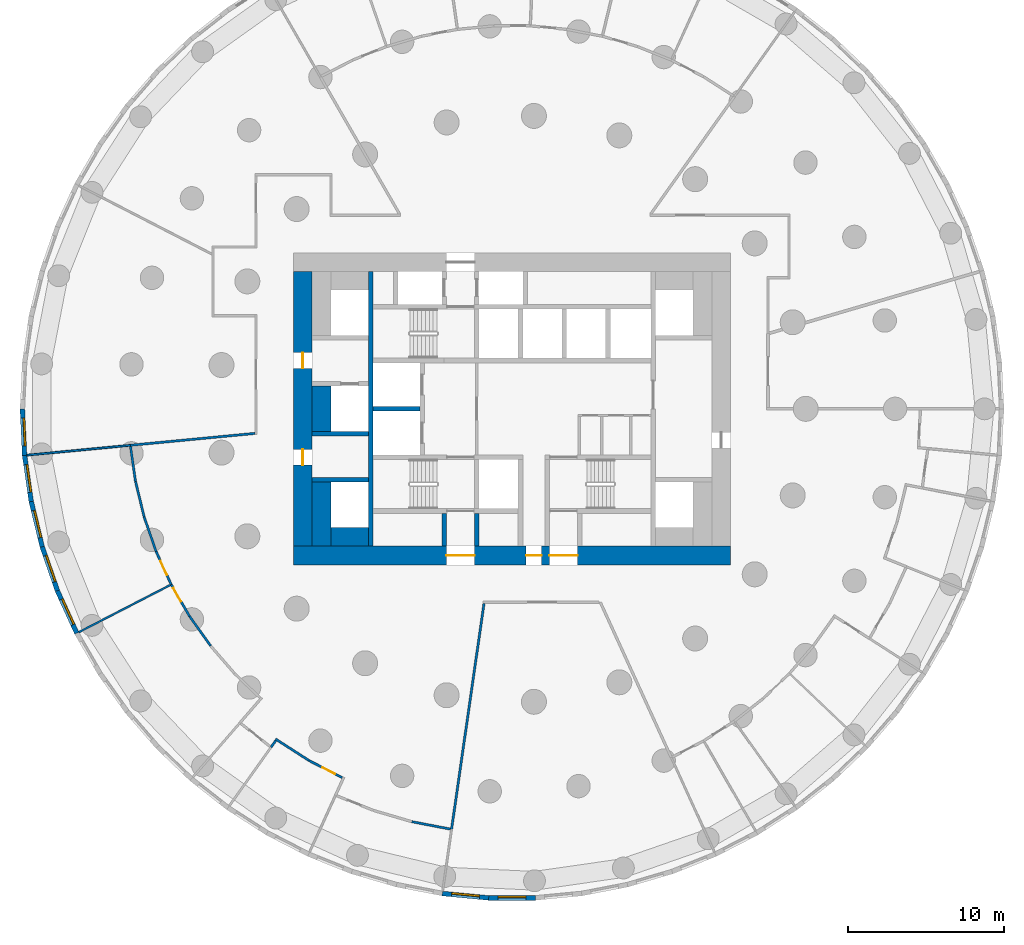
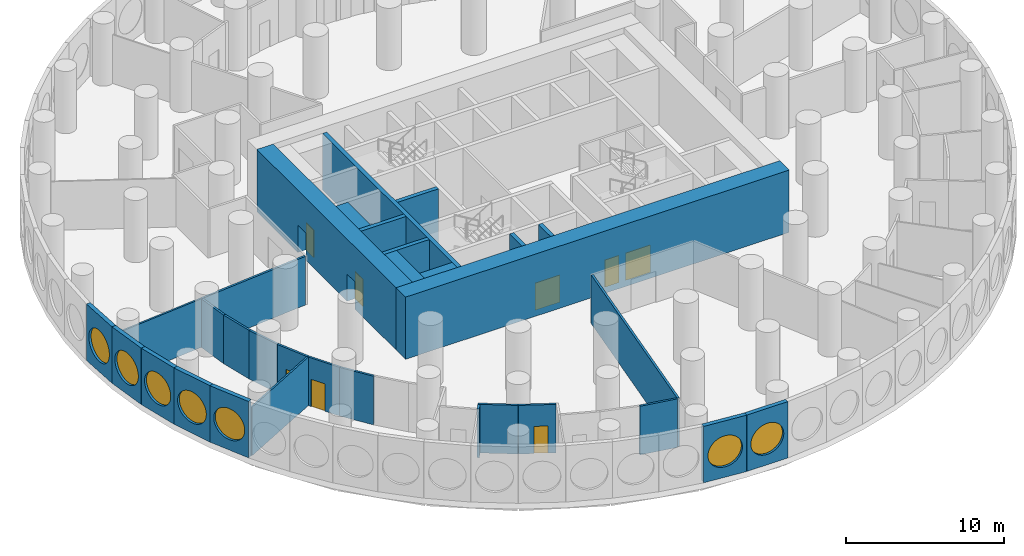
# One storey, part 3 of 11: 32 walls, 8 doors, 7 windows, 15 openings.
"""IFC4 building model written with IfcOpenShell, lengths in metres."""

import ifcopenshell
import ifcopenshell.guid

model = None  # the IFC model being written
_history = None  # IfcOwnerHistory: only IFC2X3 demands one
_inside = {}  # id of a spatial element -> (the spatial element, [elements in it])
_under = {}  # id of a project, library or spatial element -> (it, [spatial elements below it])
_declared = {}  # id of a project -> (the project, [libraries it declares])
_typed = {}  # id of a type object -> (the type object, [elements of that type])
_made_of = {}  # id of a material, layer set ... -> (it, [elements and type objects made of it])


def new_model(schema):
    """Start an empty IFC model of exactly this schema.

    Asked for "IFC4X3", IfcOpenShell would pick the latest addendum, in which some entities
    have other attributes; the version numbers below select the first issue.
    IFC2X3 requires an IfcOwnerHistory on every rooted entity: one is made here for all.
    """
    global model, _history
    if schema == "IFC4X3":
        model = ifcopenshell.file(schema_version=(4, 3, 0, 0))
    else:
        model = ifcopenshell.file(schema=schema)
    _inside.clear()
    _under.clear()
    _declared.clear()
    _typed.clear()
    _made_of.clear()
    _history = None
    if model.schema == "IFC2X3":
        org = make("IfcOrganization", Name="unknown")
        user = make(
            "IfcPersonAndOrganization",
            ThePerson=make("IfcPerson", FamilyName="unknown"),
            TheOrganization=org,
        )
        app = make(
            "IfcApplication",
            ApplicationDeveloper=org,
            Version="unknown",
            ApplicationFullName="unknown",
            ApplicationIdentifier="unknown",
        )
        _history = make(
            "IfcOwnerHistory",
            OwningUser=user,
            OwningApplication=app,
            ChangeAction="ADDED",
            CreationDate=0,
        )
    return model


def make(cls, **values):
    """One entity of the class cls with the attributes given. An attribute that is None is left unset."""
    return model.create_entity(
        cls, **{name: value for name, value in values.items() if value is not None}
    )


def rooted(cls, **values):
    """An entity with a GlobalId (a new one), such as an element, a storey or a relation."""
    return make(cls, GlobalId=ifcopenshell.guid.new(), OwnerHistory=_history, **values)


def si_unit(unit_type, name, prefix=None):
    """IfcSIUnit, for example si_unit("LENGTHUNIT", "METRE", prefix="MILLI")."""
    return make("IfcSIUnit", UnitType=unit_type, Prefix=prefix, Name=name)


def assignment(units):
    """IfcUnitAssignment: the units of a project."""
    return None if units is None else make("IfcUnitAssignment", Units=units)


def point(xyz):
    """IfcCartesianPoint."""
    return None if xyz is None else make("IfcCartesianPoint", Coordinates=xyz)


def direction(xyz):
    """IfcDirection."""
    return None if xyz is None else make("IfcDirection", DirectionRatios=xyz)


def frame(location, z_axis=None, x_axis=None):
    """IfcAxis2Placement3D, a coordinate frame: its origin and axes. An axis left out is left unset."""
    return make(
        "IfcAxis2Placement3D",
        Location=point(location),
        Axis=direction(z_axis),
        RefDirection=direction(x_axis),
    )


def frame_2d(location, x_axis=None):
    """IfcAxis2Placement2D, a coordinate frame in the plane: its origin and x axis."""
    return make(
        "IfcAxis2Placement2D", Location=point(location), RefDirection=direction(x_axis)
    )


def origin():
    """The frame at (0, 0, 0) with its axes left unset."""
    return frame((0.0, 0.0, 0.0))


def origin_2d():
    """The frame at (0, 0) in the plane with its x axis left unset."""
    return frame_2d((0.0, 0.0))


def place(relative_to, where):
    """IfcLocalPlacement: puts the frame where relative to a parent placement (None: the world)."""
    return make(
        "IfcLocalPlacement", PlacementRelTo=relative_to, RelativePlacement=where
    )


def context(
    kind, dimensions, precision=None, world=None, true_north=None, identifier=None
):
    """IfcGeometricRepresentationContext, for example the 3D "Model" context."""
    return make(
        "IfcGeometricRepresentationContext",
        ContextIdentifier=identifier,
        ContextType=kind,
        CoordinateSpaceDimension=dimensions,
        Precision=precision,
        WorldCoordinateSystem=world,
        TrueNorth=true_north,
    )


def subcontext(parent, identifier, kind, view, scale=None):
    """IfcGeometricRepresentationSubContext, for example "Body" below "Model"."""
    return make(
        "IfcGeometricRepresentationSubContext",
        ContextIdentifier=identifier,
        ContextType=kind,
        ParentContext=parent,
        TargetScale=scale,
        TargetView=view,
    )


def project(units=None, contexts=None):
    """IfcProject with its units and contexts."""
    return rooted(
        "IfcProject",
        Name="project",
        RepresentationContexts=contexts,
        UnitsInContext=assignment(units),
    )


def spatial(cls, under=None, at=None, **own):
    """A site, building, storey or space (cls), placed at a placement, below another one or the project."""
    s = rooted(cls, ObjectPlacement=at, **own)
    if under is not None:
        _under.setdefault(under.id(), (under, []))[1].append(s)
    return s


def profile(cls, at=None, kind="AREA", **sizes):
    """A parametric profile (cls). Its sizes go by their IFC names, for example OverallWidth=200.0."""
    return make(cls, ProfileType=kind, Position=at, **sizes)


def rectangle(**sizes):
    """IfcRectangleProfileDef."""
    return profile("IfcRectangleProfileDef", **sizes)


def circle(**sizes):
    """IfcCircleProfileDef."""
    return profile("IfcCircleProfileDef", **sizes)


def extrude(swept, where, along, depth):
    """IfcExtrudedAreaSolid: the profile swept, set in the frame where, extruded along a direction by depth."""
    return make(
        "IfcExtrudedAreaSolid",
        SweptArea=swept,
        Position=where,
        ExtrudedDirection=direction(along),
        Depth=depth,
    )


def shape(context_of_items, identifier, shape_type, items):
    """IfcShapeRepresentation: the items that make up one representation, for example the "Body"."""
    return make(
        "IfcShapeRepresentation",
        ContextOfItems=context_of_items,
        RepresentationIdentifier=identifier,
        RepresentationType=shape_type,
        Items=items,
    )


def material(Name=None, Category=None):
    """IfcMaterial."""
    return make("IfcMaterial", Name=Name, Category=Category)


def layer(
    of_material, thickness, ventilated=None, Name=None, Category=None, Priority=None
):
    """IfcMaterialLayer: one layer of a wall or slab, of a material (None: an air gap)."""
    return make(
        "IfcMaterialLayer",
        Material=of_material,
        LayerThickness=thickness,
        IsVentilated=ventilated,
        Name=Name,
        Category=Category,
        Priority=Priority,
    )


def layer_set(layers, Name=None):
    """IfcMaterialLayerSet."""
    return make("IfcMaterialLayerSet", MaterialLayers=layers, LayerSetName=Name)


def made_of(thing, what):
    """Note that an element or type object is made of a material, layer set ...; save() writes the relation."""
    if what is not None:
        _made_of.setdefault(what.id(), (what, []))[1].append(thing)
    return thing


def type_object(cls, material=None, **own):
    """A type object (cls), such as IfcWallType, which elements share."""
    return made_of(rooted(cls, **own), material)


def element(
    cls,
    number,
    at=None,
    inside=None,
    cuts=None,
    type_object=None,
    material=None,
    context=None,
    identifier="Body",
    shape_type=None,
    held_by="IfcProductDefinitionShape",
    body=None,
    shapes=None,
    **own,
):
    """One element of the class cls, such as IfcWall. Its Tag is "e" and its number.

    at: its placement. inside: the storey or other place that contains it. cuts: it is an
    opening in that element (IfcRelVoidsElement). A single representation is given by context,
    identifier, shape_type and body (its items); several are given by shapes. held_by: the class
    of the entity that holds the representations. save() writes the other relations.
    """
    e = rooted(cls, Tag="e%d" % number, ObjectPlacement=at, **own)
    if body is not None:
        shapes = [shape(context, identifier, shape_type, body)]
    if shapes is not None:
        e.Representation = make(held_by, Representations=shapes)
    if inside is not None:
        _inside.setdefault(inside.id(), (inside, []))[1].append(e)
    if cuts is not None:
        rooted(
            "IfcRelVoidsElement", RelatingBuildingElement=cuts, RelatedOpeningElement=e
        )
    if type_object is not None:
        _typed.setdefault(type_object.id(), (type_object, []))[1].append(e)
    return made_of(e, material)


def fill(opening, filler):
    """IfcRelFillsElement: the door or window that sits in an opening."""
    return rooted(
        "IfcRelFillsElement",
        RelatingOpeningElement=opening,
        RelatedBuildingElement=filler,
    )


def aggregate(whole, parts):
    """IfcRelAggregates: a whole, such as a stair, and the parts it consists of."""
    return rooted("IfcRelAggregates", RelatingObject=whole, RelatedObjects=parts)


def save(model, path):
    """Write the relations noted so far, then the file.

    IfcRelAggregates (storeys below a building ...), IfcRelContainedInSpatialStructure (elements
    in a storey), IfcRelDefinesByType, IfcRelAssociatesMaterial and IfcRelDeclares: one each for
    every whole, place, type object, material and project.
    """
    for whole, parts in _under.values():
        aggregate(whole, parts)
    for where, things in _inside.values():
        rooted(
            "IfcRelContainedInSpatialStructure",
            RelatedElements=things,
            RelatingStructure=where,
        )
    for kind, things in _typed.values():
        rooted("IfcRelDefinesByType", RelatedObjects=things, RelatingType=kind)
    for what, things in _made_of.values():
        rooted("IfcRelAssociatesMaterial", RelatedObjects=things, RelatingMaterial=what)
    for by, libraries in _declared.values():
        rooted("IfcRelDeclares", RelatingContext=by, RelatedDefinitions=libraries)
    model.write(path)


model = new_model("IFC4")

# Units and contexts
model_context = context("Model", 3, precision=1e-05, world=origin(), true_north=direction((0.0, 1.0)))
body_context = subcontext(model_context, "Body", "Model", "MODEL_VIEW")
ifc_project = project(units=[si_unit("LENGTHUNIT", "METRE"), si_unit("AREAUNIT", "SQUARE_METRE"), si_unit("VOLUMEUNIT", "CUBIC_METRE"), si_unit("PLANEANGLEUNIT", "RADIAN"), si_unit("MASSUNIT", "GRAM", prefix="KILO")], contexts=[model_context])

# Site, building, storey
site_placement = place(None, origin())
site = spatial("IfcSite", under=ifc_project, at=site_placement, CompositionType="ELEMENT")
building_placement = place(site_placement, origin())
building = spatial("IfcBuilding", under=site, at=building_placement, Name="Tracery Tower", CompositionType="ELEMENT")
storey_placement = place(building_placement, frame((0.0, 0.0, 18.60009765625)))
storey = spatial("IfcBuildingStorey", under=building, at=storey_placement, Name="L03", CompositionType="ELEMENT", Elevation=18.60009765625)

# Walls
ifc_material_1 = material(Name="Concrete C60/75", Category="concrete")
ifc_layer_1 = layer(ifc_material_1, 1.199951171875)
ifc_layer_set_1 = layer_set([ifc_layer_1], Name="Core strip wall 1200 C60")
wall_type_1 = type_object("IfcWallType", Name="Core strip wall 1200 C60", PredefinedType="SOLIDWALL", material=ifc_layer_set_1)
wall_1_placement = place(storey_placement, frame((-12.199951171875, -8.800048828125, 0.0), z_axis=(0.0, 0.0, 1.0), x_axis=(0.0, 1.0, 0.0)))
element("IfcWall", 1, at=wall_1_placement, inside=storey, type_object=wall_type_1, Name="L03 wing strip -1 -9.4", PredefinedType="SOLIDWALL", context=body_context, shape_type="SweptSolid", body=[
    extrude(rectangle(XDim=4.10009765625, YDim=1.199951171875, at=frame_2d((2.050048828125, 0.0))), origin(), (0.0, 0.0, 1.0), 4.349853515625),
])
wall_2_placement = place(storey_placement, frame((-12.199951171875, -1.449951171875, 0.0), z_axis=(0.0, 0.0, 1.0), x_axis=(0.0, 1.0, 0.0)))
element("IfcWall", 2, at=wall_2_placement, inside=storey, type_object=wall_type_1, Name="L03 wing strip -1 -1.6", PredefinedType="SOLIDWALL", context=body_context, shape_type="SweptSolid", body=[
    extrude(rectangle(XDim=2.89990234375, YDim=1.199951171875, at=frame_2d((1.449951171875, 0.0))), origin(), (0.0, 0.0, 1.0), 4.349853515625),
])
wall_3_placement = place(storey_placement, frame((-11.60009765625, -8.199951171875, 0.0), z_axis=(0.0, 0.0, 1.0), x_axis=(1.0, 0.0, 0.0)))
element("IfcWall", 3, at=wall_3_placement, inside=storey, type_object=wall_type_1, Name="L03 wing corner -1 -8.2", PredefinedType="SOLIDWALL", context=body_context, shape_type="SweptSolid", body=[
    extrude(rectangle(XDim=2.400146484375, YDim=1.199951171875, at=frame_2d((1.2001953125, 0.0))), origin(), (0.0, 0.0, 1.0), 4.349853515625),
])

# Wall, openings, doors
ifc_material_2 = material(Name="Concrete C60/75", Category="concrete")
ifc_layer_2 = layer(ifc_material_2, 1.199951171875)
ifc_layer_set_2 = layer_set([ifc_layer_2], Name="Core wall 1200 C60")
wall_type_2 = type_object("IfcWallType", Name="Core wall 1200 C60", PredefinedType="SOLIDWALL", material=ifc_layer_set_2)
wall_4_placement = place(storey_placement, frame((-14.0, -9.39990234375, 0.0), z_axis=(0.0, 0.0, 1.0), x_axis=(1.0, 0.0, 0.0)))
wall_4 = element("IfcWall", 4, at=wall_4_placement, inside=storey, type_object=wall_type_2, Name="L03 outer S", PredefinedType="SOLIDWALL", context=body_context, shape_type="SweptSolid", body=[
    extrude(rectangle(XDim=28.0, YDim=1.199951171875, at=frame_2d((14.0, 0.0))), origin(), (0.0, 0.0, 1.0), 4.7998046875),
])
opening_1_placement = place(wall_4_placement, frame((14.89990234375, 0.0, 0.0)))
opening_1 = element("IfcOpeningElement", 5, at=opening_1_placement, cuts=wall_4, Name="Opening KD16", PredefinedType="OPENING", context=body_context, shape_type="SweptSolid", body=[
    extrude(rectangle(XDim=1.0, YDim=2.10009765625, at=frame_2d((0.5, 1.050048828125))), frame((0.0, 0.60009765625, 0.0), z_axis=(0.0, -1.0, 0.0), x_axis=(1.0, 0.0, 0.0)), (0.0, 0.0, 1.0), 1.199951171875),
])
opening_2_placement = place(wall_4_placement, frame((9.800048828125, 0.0, 0.0)))
opening_2 = element("IfcOpeningElement", 6, at=opening_2_placement, cuts=wall_4, Name="Opening KD13", PredefinedType="OPENING", context=body_context, shape_type="SweptSolid", body=[
    extrude(rectangle(XDim=1.800048828125, YDim=2.10009765625, at=frame_2d((0.89990234375, 1.050048828125))), frame((0.0, 0.60009765625, 0.0), z_axis=(0.0, -1.0, 0.0), x_axis=(1.0, 0.0, 0.0)), (0.0, 0.0, 1.0), 1.199951171875),
])
opening_3_placement = place(wall_4_placement, frame((16.39990234375, 0.0, 0.0)))
opening_3 = element("IfcOpeningElement", 7, at=opening_3_placement, cuts=wall_4, Name="Opening KD13", PredefinedType="OPENING", context=body_context, shape_type="SweptSolid", body=[
    extrude(rectangle(XDim=1.800048828125, YDim=2.10009765625, at=frame_2d((0.89990234375, 1.050048828125))), frame((0.0, 0.60009765625, 0.0), z_axis=(0.0, -1.0, 0.0), x_axis=(1.0, 0.0, 0.0)), (0.0, 0.0, 1.0), 1.199951171875),
])
ifc_material_3 = material(Name="Steel fire door", Category="steel")
door_type_1 = type_object("IfcDoorType", Name="Core exit door 1000", OperationType="NOTDEFINED", PredefinedType="DOOR", material=ifc_material_3)
door_1_placement = place(opening_1_placement, origin())
door_1 = element("IfcDoor", 8, at=door_1_placement, inside=storey, type_object=door_type_1, Name="Core exit door", OperationType="SINGLE_SWING_LEFT", OverallHeight=2.10009765625, OverallWidth=1.0, PredefinedType="DOOR", context=body_context, shape_type="SweptSolid", body=[
    extrude(rectangle(XDim=1.0, YDim=2.10009765625, at=frame_2d((0.5, 1.050048828125))), frame((0.0, 0.02490234375, 0.0), z_axis=(0.0, -1.0, 0.0), x_axis=(1.0, 0.0, 0.0)), (0.0, 0.0, 1.0), 0.050048828125),
])
fill(opening_1, door_1)
ifc_material_4 = material(Name="Steel fire door", Category="steel")
door_type_2 = type_object("IfcDoorType", Name="Core exit door 1800 double", OperationType="NOTDEFINED", PredefinedType="DOOR", material=ifc_material_4)
door_2_placement = place(opening_2_placement, origin())
door_2 = element("IfcDoor", 9, at=door_2_placement, inside=storey, type_object=door_type_2, Name="Core exit door", OperationType="DOUBLE_DOOR_SINGLE_SWING", OverallHeight=2.10009765625, OverallWidth=1.800048828125, PredefinedType="DOOR", context=body_context, shape_type="SweptSolid", body=[
    extrude(rectangle(XDim=1.800048828125, YDim=2.10009765625, at=frame_2d((0.89990234375, 1.050048828125))), frame((0.0, 0.02490234375, 0.0), z_axis=(0.0, -1.0, 0.0), x_axis=(1.0, 0.0, 0.0)), (0.0, 0.0, 1.0), 0.050048828125),
])
fill(opening_2, door_2)
door_3_placement = place(opening_3_placement, origin())
door_3 = element("IfcDoor", 10, at=door_3_placement, inside=storey, type_object=door_type_2, Name="Core exit door", OperationType="DOUBLE_DOOR_SINGLE_SWING", OverallHeight=2.10009765625, OverallWidth=1.800048828125, PredefinedType="DOOR", context=body_context, shape_type="SweptSolid", body=[
    extrude(rectangle(XDim=1.800048828125, YDim=2.10009765625, at=frame_2d((0.89990234375, 1.050048828125))), frame((0.0, 0.02490234375, 0.0), z_axis=(0.0, -1.0, 0.0), x_axis=(1.0, 0.0, 0.0)), (0.0, 0.0, 1.0), 0.050048828125),
])
fill(opening_3, door_3)

wall_5_placement = place(storey_placement, frame((-13.39990234375, -8.800048828125, 0.0), z_axis=(0.0, 0.0, 1.0), x_axis=(0.0, 1.0, 0.0)))
wall_5 = element("IfcWall", 11, at=wall_5_placement, inside=storey, type_object=wall_type_2, Name="L03 outer W", PredefinedType="SOLIDWALL", context=body_context, shape_type="SweptSolid", body=[
    extrude(rectangle(XDim=17.60009765625, YDim=1.199951171875, at=frame_2d((8.800048828125, 0.0))), origin(), (0.0, 0.0, 1.0), 4.7998046875),
])
opening_4_placement = place(wall_5_placement, frame((5.199951171875, 0.0, 0.0)))
opening_4 = element("IfcOpeningElement", 12, at=opening_4_placement, cuts=wall_5, Name="Opening KD18", PredefinedType="OPENING", context=body_context, shape_type="SweptSolid", body=[
    extrude(rectangle(XDim=1.0, YDim=2.10009765625, at=frame_2d((0.5, 1.050048828125))), frame((0.0, 0.60009765625, 0.0), z_axis=(0.0, -1.0, 0.0), x_axis=(1.0, 0.0, 0.0)), (0.0, 0.0, 1.0), 1.199951171875),
])
opening_5_placement = place(wall_5_placement, frame((11.39990234375, 0.0, 0.0)))
opening_5 = element("IfcOpeningElement", 13, at=opening_5_placement, cuts=wall_5, Name="Opening KD18", PredefinedType="OPENING", context=body_context, shape_type="SweptSolid", body=[
    extrude(rectangle(XDim=1.0, YDim=2.10009765625, at=frame_2d((0.5, 1.050048828125))), frame((0.0, 0.60009765625, 0.0), z_axis=(0.0, -1.0, 0.0), x_axis=(1.0, 0.0, 0.0)), (0.0, 0.0, 1.0), 1.199951171875),
])
door_4_placement = place(opening_4_placement, origin())
door_4 = element("IfcDoor", 14, at=door_4_placement, inside=storey, type_object=door_type_1, Name="Core exit door", OperationType="DOUBLE_DOOR_SINGLE_SWING", OverallHeight=2.10009765625, OverallWidth=1.0, PredefinedType="DOOR", context=body_context, shape_type="SweptSolid", body=[
    extrude(rectangle(XDim=1.0, YDim=2.10009765625, at=frame_2d((0.5, 1.050048828125))), frame((0.0, 0.02490234375, 0.0), z_axis=(0.0, -1.0, 0.0), x_axis=(1.0, 0.0, 0.0)), (0.0, 0.0, 1.0), 0.050048828125),
])
fill(opening_4, door_4)
door_5_placement = place(opening_5_placement, origin())
door_5 = element("IfcDoor", 15, at=door_5_placement, inside=storey, type_object=door_type_1, Name="Core exit door", OperationType="DOUBLE_DOOR_SINGLE_SWING", OverallHeight=2.10009765625, OverallWidth=1.0, PredefinedType="DOOR", context=body_context, shape_type="SweptSolid", body=[
    extrude(rectangle(XDim=1.0, YDim=2.10009765625, at=frame_2d((0.5, 1.050048828125))), frame((0.0, 0.02490234375, 0.0), z_axis=(0.0, -1.0, 0.0), x_axis=(1.0, 0.0, 0.0)), (0.0, 0.0, 1.0), 0.050048828125),
])
fill(opening_5, door_5)

# Walls
ifc_material_5 = material(Name="Plasterboard on steel studs", Category="steel")
ifc_layer_3 = layer(ifc_material_5, 0.14990234375)
ifc_layer_set_3 = layer_set([ifc_layer_3], Name="Corridor partition 150")
wall_type_3 = type_object("IfcWallType", Name="Corridor partition 150", PredefinedType="PARTITIONING", material=ifc_layer_set_3)
wall_6_placement = place(storey_placement, frame((-24.44482421875, -2.409423828125, 0.0), z_axis=(0.0, 0.0, 1.0), x_axis=(0.142297308559, -0.989823962115, 0.0)))
element("IfcWall", 16, at=wall_6_placement, inside=storey, type_object=wall_type_3, Name="Corridor partition 150", PredefinedType="PARTITIONING", context=body_context, shape_type="SweptSolid", body=[
    extrude(rectangle(XDim=2.262939453125, YDim=0.14990234375, at=frame_2d((1.13134765625, 0.0))), origin(), (0.0, 0.0, 1.0), 3.75),
])
wall_7_placement = place(storey_placement, frame((-24.45556640625, -2.335205078125, 0.0), z_axis=(0.0, 0.0, 1.0), x_axis=(0.995470529319, 0.095070632993, 0.0)))
element("IfcWall", 17, at=wall_7_placement, inside=storey, type_object=wall_type_3, Name="Corridor partition 150", PredefinedType="PARTITIONING", context=body_context, shape_type="SweptSolid", body=[
    extrude(rectangle(XDim=8.017333984375, YDim=0.14990234375, at=frame_2d((4.0087890625, 0.0))), origin(), (0.0, 0.0, 1.0), 3.75),
])
wall_8_placement = place(storey_placement, frame((-24.122802734375, -4.6494140625, 0.0), z_axis=(0.0, 0.0, 1.0), x_axis=(0.235821214509, -0.971796457489, 0.0)))
element("IfcWall", 18, at=wall_8_placement, inside=storey, type_object=wall_type_3, Name="Corridor partition 150", PredefinedType="PARTITIONING", context=body_context, shape_type="SweptSolid", body=[
    extrude(rectangle(XDim=2.337646484375, YDim=0.14990234375, at=frame_2d((1.1689453125, 0.0))), origin(), (0.0, 0.0, 1.0), 3.75),
])
wall_9_placement = place(storey_placement, frame((-23.571533203125, -6.921142578125, 0.0), z_axis=(0.0, 0.0, 1.0), x_axis=(0.327046007052, -0.945008417566, 0.0)))
element("IfcWall", 19, at=wall_9_placement, inside=storey, type_object=wall_type_3, Name="Corridor partition 150", PredefinedType="PARTITIONING", context=body_context, shape_type="SweptSolid", body=[
    extrude(rectangle(XDim=2.338134765625, YDim=0.14990234375, at=frame_2d((1.1689453125, 0.0))), origin(), (0.0, 0.0, 1.0), 3.75),
])

# Wall, opening, door
wall_10_placement = place(storey_placement, frame((-21.835693359375, -11.257080078125, 0.0), z_axis=(0.0, 0.0, 1.0), x_axis=(-0.415438886862, 0.909621092149, 0.0)))
wall_10 = element("IfcWall", 20, at=wall_10_placement, inside=storey, type_object=wall_type_3, Name="Corridor partition 150", PredefinedType="PARTITIONING", context=body_context, shape_type="SweptSolid", body=[
    extrude(rectangle(XDim=2.337646484375, YDim=0.14990234375, at=frame_2d((1.1689453125, 0.0))), origin(), (0.0, 0.0, 1.0), 3.75),
])
opening_6_placement = place(wall_10_placement, frame((0.6689453125, 0.0, 0.0)))
opening_6 = element("IfcOpeningElement", 21, at=opening_6_placement, cuts=wall_10, Name="Opening SB-L03-11", PredefinedType="OPENING", context=body_context, shape_type="SweptSolid", body=[
    extrude(rectangle(XDim=1.0, YDim=2.10009765625, at=frame_2d((0.5, 1.050048828125))), frame((0.0, 0.074951171875, 0.0), z_axis=(0.0, -1.0, 0.0), x_axis=(1.0, 0.0, 0.0)), (0.0, 0.0, 1.0), 0.14990234375),
])
ifc_material_6 = material(Name="Timber door leaf", Category="wood")
door_type_3 = type_object("IfcDoorType", Name="Public room door 1000", OperationType="NOTDEFINED", PredefinedType="DOOR", material=ifc_material_6)
door_6_placement = place(opening_6_placement, origin())
door_6 = element("IfcDoor", 22, at=door_6_placement, inside=storey, type_object=door_type_3, Name="Public room door 1000", OperationType="SINGLE_SWING_RIGHT", OverallHeight=2.10009765625, OverallWidth=1.0, PredefinedType="DOOR", context=body_context, shape_type="SweptSolid", body=[
    extrude(rectangle(XDim=1.0, YDim=2.10009765625, at=frame_2d((0.5, 1.050048828125))), frame((0.0, 0.02490234375, 0.0), z_axis=(0.0, -1.0, 0.0), x_axis=(1.0, 0.0, 0.0)), (0.0, 0.0, 1.0), 0.050048828125),
])
fill(opening_6, door_6)

wall_11_placement = place(storey_placement, frame((-20.666748046875, -13.28173828125, 0.0), z_axis=(0.0, 0.0, 1.0), x_axis=(-0.500002679963, 0.866023856502, 0.0)))
wall_11 = element("IfcWall", 23, at=wall_11_placement, inside=storey, type_object=wall_type_3, Name="Corridor partition 150", PredefinedType="PARTITIONING", context=body_context, shape_type="SweptSolid", body=[
    extrude(rectangle(XDim=2.337890625, YDim=0.14990234375, at=frame_2d((1.1689453125, 0.0))), origin(), (0.0, 0.0, 1.0), 3.75),
])
opening_7_placement = place(wall_11_placement, frame((1.069091796875, 0.0, 0.0)))
opening_7 = element("IfcOpeningElement", 24, at=opening_7_placement, cuts=wall_11, Name="Opening SB-L03-12", PredefinedType="OPENING", context=body_context, shape_type="SweptSolid", body=[
    extrude(rectangle(XDim=1.0, YDim=2.10009765625, at=frame_2d((0.5, 1.050048828125))), frame((0.0, 0.074951171875, 0.0), z_axis=(0.0, -1.0, 0.0), x_axis=(1.0, 0.0, 0.0)), (0.0, 0.0, 1.0), 0.14990234375),
])
door_7_placement = place(opening_7_placement, origin())
door_7 = element("IfcDoor", 25, at=door_7_placement, inside=storey, type_object=door_type_3, Name="Public room door 1000", OperationType="SINGLE_SWING_RIGHT", OverallHeight=2.10009765625, OverallWidth=1.0, PredefinedType="DOOR", context=body_context, shape_type="SweptSolid", body=[
    extrude(rectangle(XDim=1.0, YDim=2.10009765625, at=frame_2d((0.5, 1.050048828125))), frame((0.0, 0.02490234375, 0.0), z_axis=(0.0, -1.0, 0.0), x_axis=(1.0, 0.0, 0.0)), (0.0, 0.0, 1.0), 0.050048828125),
])
fill(opening_7, door_7)

# Walls
wall_12_placement = place(storey_placement, frame((-20.666748046875, -13.28173828125, 0.0), z_axis=(0.0, 0.0, 1.0), x_axis=(0.580032319147, -0.814593462252, 0.0)))
element("IfcWall", 26, at=wall_12_placement, inside=storey, type_object=wall_type_3, Name="Corridor partition 150", PredefinedType="PARTITIONING", context=body_context, shape_type="SweptSolid", body=[
    extrude(rectangle(XDim=2.337646484375, YDim=0.14990234375, at=frame_2d((1.1689453125, 0.0))), origin(), (0.0, 0.0, 1.0), 3.75),
])
wall_13_placement = place(storey_placement, frame((-15.440673828125, -21.68310546875, 0.0), z_axis=(0.0, 0.0, 1.0), x_axis=(0.580359473183, 0.81436041277, 0.0)))
element("IfcWall", 27, at=wall_13_placement, inside=storey, type_object=wall_type_3, Name="Corridor partition 150", PredefinedType="PARTITIONING", context=body_context, shape_type="SweptSolid", body=[
    extrude(rectangle(XDim=0.52587890625, YDim=0.14990234375, at=frame_2d((0.262939453125, 0.0))), origin(), (0.0, 0.0, 1.0), 3.75),
])
wall_14_placement = place(storey_placement, frame((-15.1552734375, -21.1533203125, 0.0), z_axis=(0.0, 0.0, 1.0), x_axis=(0.841209568092, -0.540709221811, 0.0)))
element("IfcWall", 28, at=wall_14_placement, inside=storey, type_object=wall_type_3, Name="Corridor partition 150", PredefinedType="PARTITIONING", context=body_context, shape_type="SweptSolid", body=[
    extrude(rectangle(XDim=2.551025390625, YDim=0.14990234375, at=frame_2d((1.275390625, 0.0))), origin(), (0.0, 0.0, 1.0), 3.75),
])

# Wall, opening, door
wall_15_placement = place(storey_placement, frame((-10.875, -23.6328125, 0.0), z_axis=(0.0, 0.0, 1.0), x_axis=(-0.888869165554, 0.45816111416, 0.0)))
wall_15 = element("IfcWall", 29, at=wall_15_placement, inside=storey, type_object=wall_type_3, Name="Corridor partition 150", PredefinedType="PARTITIONING", context=body_context, shape_type="SweptSolid", body=[
    extrude(rectangle(XDim=2.401123046875, YDim=0.14990234375, at=frame_2d((1.20068359375, 0.0))), origin(), (0.0, 0.0, 1.0), 3.75),
])
opening_8_placement = place(wall_15_placement, frame((0.512939453125, 0.0, 0.0)))
opening_8 = element("IfcOpeningElement", 30, at=opening_8_placement, cuts=wall_15, Name="Opening SB-L03-14", PredefinedType="OPENING", context=body_context, shape_type="SweptSolid", body=[
    extrude(rectangle(XDim=0.89990234375, YDim=2.10009765625, at=frame_2d((0.449951171875, 1.050048828125))), frame((0.0, 0.074951171875, 0.0), z_axis=(0.0, -1.0, 0.0), x_axis=(1.0, 0.0, 0.0)), (0.0, 0.0, 1.0), 0.14990234375),
])
ifc_material_7 = material(Name="Steel fire door", Category="steel")
door_type_4 = type_object("IfcDoorType", Name="Store door 900", OperationType="NOTDEFINED", PredefinedType="DOOR", material=ifc_material_7)
door_8_placement = place(opening_8_placement, origin())
door_8 = element("IfcDoor", 31, at=door_8_placement, inside=storey, type_object=door_type_4, Name="Store door 900", OperationType="SINGLE_SWING_RIGHT", OverallHeight=2.10009765625, OverallWidth=0.89990234375, PredefinedType="DOOR", context=body_context, shape_type="SweptSolid", body=[
    extrude(rectangle(XDim=0.89990234375, YDim=2.10009765625, at=frame_2d((0.449951171875, 1.050048828125))), frame((0.0, 0.02490234375, 0.0), z_axis=(0.0, -1.0, 0.0), x_axis=(1.0, 0.0, 0.0)), (0.0, 0.0, 1.0), 0.050048828125),
])
fill(opening_8, door_8)

# Walls
wall_16_placement = place(storey_placement, frame((-6.417236328125, -26.452392578125, 0.0), z_axis=(0.0, 0.0, 1.0), x_axis=(0.981923270902, -0.189279396823, 0.0)))
element("IfcWall", 32, at=wall_16_placement, inside=storey, type_object=wall_type_3, Name="Corridor partition 150", PredefinedType="PARTITIONING", context=body_context, shape_type="SweptSolid", body=[
    extrude(rectangle(XDim=2.51513671875, YDim=0.14990234375, at=frame_2d((1.257568359375, 0.0))), origin(), (0.0, 0.0, 1.0), 3.75),
])
wall_17_placement = place(storey_placement, frame((-3.873779296875, -26.942626953125, 0.0), z_axis=(0.0, 0.0, 1.0), x_axis=(0.142302842894, 0.989823166482, 0.0)))
element("IfcWall", 33, at=wall_17_placement, inside=storey, type_object=wall_type_3, Name="Corridor partition 150", PredefinedType="PARTITIONING", context=body_context, shape_type="SweptSolid", body=[
    extrude(rectangle(XDim=14.6171875, YDim=0.14990234375, at=frame_2d((7.30859375, 0.0))), origin(), (0.0, 0.0, 1.0), 3.75),
])

# Wall, opening, window
ifc_material_8 = material(Name="Precast concrete C50/60", Category="concrete")
ifc_layer_4 = layer(ifc_material_8, 0.300048828125)
ifc_layer_set_4 = layer_set([ifc_layer_4], Name="Facade panel 3000 x 4350")
wall_type_4 = type_object("IfcWallType", Name="Facade panel 3000 x 4350", PredefinedType="SOLIDWALL", material=ifc_layer_set_4)
wall_18_placement = place(storey_placement, frame((-31.37451171875, 0.0, 0.0), z_axis=(0.0, 0.0, 1.0), x_axis=(0.047588458579, -0.998867027492, 0.0)))
wall_18 = element("IfcWall", 34, at=wall_18_placement, inside=storey, type_object=wall_type_4, Name="Facade panel 34 at L03", PredefinedType="SOLIDWALL", context=body_context, shape_type="SweptSolid", body=[
    extrude(rectangle(XDim=2.98583984375, YDim=0.300048828125, at=frame_2d((1.492919921875, 0.0))), origin(), (0.0, 0.0, 1.0), 4.349853515625),
])
opening_9_placement = place(wall_18_placement, frame((1.492919921875, 0.0, 2.0)))
opening_9 = element("IfcOpeningElement", 35, at=opening_9_placement, cuts=wall_18, Name="Opening WN2", PredefinedType="OPENING", context=body_context, shape_type="SweptSolid", body=[
    extrude(circle(Radius=1.199951171875, at=origin_2d()), frame((0.0, 0.159912109375, 0.0), z_axis=(0.0, -1.0, 0.0), x_axis=(1.0, 0.0, 0.0)), (0.0, 0.0, 1.0), 0.320068359375),
])
ifc_material_9 = material(Name="Aluminium frame with tinted double glazing", Category="aluminium")
window_type = type_object("IfcWindowType", Name="Round window 2400", PartitioningType="SINGLE_PANEL", PredefinedType="WINDOW", material=ifc_material_9)
window_1_placement = place(opening_9_placement, origin())
window_1 = element("IfcWindow", 36, at=window_1_placement, inside=storey, type_object=window_type, Name="Round window 34 at L03", OverallHeight=2.39990234375, OverallWidth=2.39990234375, PartitioningType="SINGLE_PANEL", PredefinedType="WINDOW", context=body_context, shape_type="SweptSolid", body=[
    extrude(circle(Radius=1.199951171875, at=origin_2d()), frame((0.0, 0.1201171875, 0.0), z_axis=(0.0, -1.0, 0.0), x_axis=(1.0, 0.0, 0.0)), (0.0, 0.0, 1.0), 0.10009765625),
])
fill(opening_9, window_1)

wall_19_placement = place(storey_placement, frame((-31.232421875, -2.982421875, 0.0), z_axis=(0.0, 0.0, 1.0), x_axis=(0.142360001917, -0.989814947278, 0.0)))
wall_19 = element("IfcWall", 37, at=wall_19_placement, inside=storey, type_object=wall_type_4, Name="Facade panel 35 at L03", PredefinedType="SOLIDWALL", context=body_context, shape_type="SweptSolid", body=[
    extrude(rectangle(XDim=2.98583984375, YDim=0.300048828125, at=frame_2d((1.492919921875, 0.0))), origin(), (0.0, 0.0, 1.0), 4.349853515625),
])
opening_10_placement = place(wall_19_placement, frame((1.492919921875, 0.0, 2.0)))
opening_10 = element("IfcOpeningElement", 38, at=opening_10_placement, cuts=wall_19, Name="Opening WN2", PredefinedType="OPENING", context=body_context, shape_type="SweptSolid", body=[
    extrude(circle(Radius=1.199951171875, at=origin_2d()), frame((0.0, 0.159912109375, 0.0), z_axis=(0.0, -1.0, 0.0), x_axis=(1.0, 0.0, 0.0)), (0.0, 0.0, 1.0), 0.320068359375),
])
window_2_placement = place(opening_10_placement, origin())
window_2 = element("IfcWindow", 39, at=window_2_placement, inside=storey, type_object=window_type, Name="Round window 35 at L03", OverallHeight=2.39990234375, OverallWidth=2.39990234375, PartitioningType="SINGLE_PANEL", PredefinedType="WINDOW", context=body_context, shape_type="SweptSolid", body=[
    extrude(circle(Radius=1.199951171875, at=origin_2d()), frame((0.0, 0.1201171875, 0.0), z_axis=(0.0, -1.0, 0.0), x_axis=(1.0, 0.0, 0.0)), (0.0, 0.0, 1.0), 0.10009765625),
])
fill(opening_10, window_2)

wall_20_placement = place(storey_placement, frame((-30.807373046875, -5.937744140625, 0.0), z_axis=(0.0, 0.0, 1.0), x_axis=(0.235756834479, -0.971812078026, 0.0)))
wall_20 = element("IfcWall", 40, at=wall_20_placement, inside=storey, type_object=wall_type_4, Name="Facade panel 36 at L03", PredefinedType="SOLIDWALL", context=body_context, shape_type="SweptSolid", body=[
    extrude(rectangle(XDim=2.985595703125, YDim=0.300048828125, at=frame_2d((1.49267578125, 0.0))), origin(), (0.0, 0.0, 1.0), 4.349853515625),
])
opening_11_placement = place(wall_20_placement, frame((1.492919921875, 0.0, 2.0)))
opening_11 = element("IfcOpeningElement", 41, at=opening_11_placement, cuts=wall_20, Name="Opening WN2", PredefinedType="OPENING", context=body_context, shape_type="SweptSolid", body=[
    extrude(circle(Radius=1.199951171875, at=origin_2d()), frame((0.0, 0.159912109375, 0.0), z_axis=(0.0, -1.0, 0.0), x_axis=(1.0, 0.0, 0.0)), (0.0, 0.0, 1.0), 0.320068359375),
])
window_3_placement = place(opening_11_placement, origin())
window_3 = element("IfcWindow", 42, at=window_3_placement, inside=storey, type_object=window_type, Name="Round window 36 at L03", OverallHeight=2.39990234375, OverallWidth=2.39990234375, PartitioningType="SINGLE_PANEL", PredefinedType="WINDOW", context=body_context, shape_type="SweptSolid", body=[
    extrude(circle(Radius=1.199951171875, at=origin_2d()), frame((0.0, 0.1201171875, 0.0), z_axis=(0.0, -1.0, 0.0), x_axis=(1.0, 0.0, 0.0)), (0.0, 0.0, 1.0), 0.10009765625),
])
fill(opening_11, window_3)

wall_21_placement = place(storey_placement, frame((-30.103515625, -8.839111328125, 0.0), z_axis=(0.0, 0.0, 1.0), x_axis=(0.327074054052, -0.944998710669, 0.0)))
wall_21 = element("IfcWall", 43, at=wall_21_placement, inside=storey, type_object=wall_type_4, Name="Facade panel 37 at L03", PredefinedType="SOLIDWALL", context=body_context, shape_type="SweptSolid", body=[
    extrude(rectangle(XDim=2.98583984375, YDim=0.300048828125, at=frame_2d((1.492919921875, 0.0))), origin(), (0.0, 0.0, 1.0), 4.349853515625),
])
opening_12_placement = place(wall_21_placement, frame((1.492919921875, 0.0, 2.0)))
opening_12 = element("IfcOpeningElement", 44, at=opening_12_placement, cuts=wall_21, Name="Opening WN2", PredefinedType="OPENING", context=body_context, shape_type="SweptSolid", body=[
    extrude(circle(Radius=1.199951171875, at=origin_2d()), frame((0.0, 0.159912109375, 0.0), z_axis=(0.0, -1.0, 0.0), x_axis=(1.0, 0.0, 0.0)), (0.0, 0.0, 1.0), 0.320068359375),
])
window_4_placement = place(opening_12_placement, origin())
window_4 = element("IfcWindow", 45, at=window_4_placement, inside=storey, type_object=window_type, Name="Round window 37 at L03", OverallHeight=2.39990234375, OverallWidth=2.39990234375, PartitioningType="SINGLE_PANEL", PredefinedType="WINDOW", context=body_context, shape_type="SweptSolid", body=[
    extrude(circle(Radius=1.199951171875, at=origin_2d()), frame((0.0, 0.1201171875, 0.0), z_axis=(0.0, -1.0, 0.0), x_axis=(1.0, 0.0, 0.0)), (0.0, 0.0, 1.0), 0.10009765625),
])
fill(opening_12, window_4)

wall_22_placement = place(storey_placement, frame((-29.126953125, -11.66064453125, 0.0), z_axis=(0.0, 0.0, 1.0), x_axis=(0.415373250944, -0.909651066289, 0.0)))
wall_22 = element("IfcWall", 46, at=wall_22_placement, inside=storey, type_object=wall_type_4, Name="Facade panel 38 at L03", PredefinedType="SOLIDWALL", context=body_context, shape_type="SweptSolid", body=[
    extrude(rectangle(XDim=2.98583984375, YDim=0.300048828125, at=frame_2d((1.492919921875, 0.0))), origin(), (0.0, 0.0, 1.0), 4.349853515625),
])
opening_13_placement = place(wall_22_placement, frame((1.492919921875, 0.0, 2.0)))
opening_13 = element("IfcOpeningElement", 47, at=opening_13_placement, cuts=wall_22, Name="Opening WN2", PredefinedType="OPENING", context=body_context, shape_type="SweptSolid", body=[
    extrude(circle(Radius=1.199951171875, at=origin_2d()), frame((0.0, 0.159912109375, 0.0), z_axis=(0.0, -1.0, 0.0), x_axis=(1.0, 0.0, 0.0)), (0.0, 0.0, 1.0), 0.320068359375),
])
window_5_placement = place(opening_13_placement, origin())
window_5 = element("IfcWindow", 48, at=window_5_placement, inside=storey, type_object=window_type, Name="Round window 38 at L03", OverallHeight=2.39990234375, OverallWidth=2.39990234375, PartitioningType="SINGLE_PANEL", PredefinedType="WINDOW", context=body_context, shape_type="SweptSolid", body=[
    extrude(circle(Radius=1.199951171875, at=origin_2d()), frame((0.0, 0.1201171875, 0.0), z_axis=(0.0, -1.0, 0.0), x_axis=(1.0, 0.0, 0.0)), (0.0, 0.0, 1.0), 0.10009765625),
])
fill(opening_13, window_5)

wall_23_placement = place(storey_placement, frame((-4.465087890625, -31.05517578125, 0.0), z_axis=(0.0, 0.0, 1.0), x_axis=(0.99547560533, -0.095017467833, 0.0)))
wall_23 = element("IfcWall", 49, at=wall_23_placement, inside=storey, type_object=wall_type_4, Name="Facade panel 49 at L03", PredefinedType="SOLIDWALL", context=body_context, shape_type="SweptSolid", body=[
    extrude(rectangle(XDim=2.985595703125, YDim=0.300048828125, at=frame_2d((1.49267578125, 0.0))), origin(), (0.0, 0.0, 1.0), 4.349853515625),
])
opening_14_placement = place(wall_23_placement, frame((1.492919921875, 0.0, 2.0)))
opening_14 = element("IfcOpeningElement", 50, at=opening_14_placement, cuts=wall_23, Name="Opening WN2", PredefinedType="OPENING", context=body_context, shape_type="SweptSolid", body=[
    extrude(circle(Radius=1.199951171875, at=origin_2d()), frame((0.0, 0.159912109375, 0.0), z_axis=(0.0, -1.0, 0.0), x_axis=(1.0, 0.0, 0.0)), (0.0, 0.0, 1.0), 0.320068359375),
])
window_6_placement = place(opening_14_placement, origin())
window_6 = element("IfcWindow", 51, at=window_6_placement, inside=storey, type_object=window_type, Name="Round window 49 at L03", OverallHeight=2.39990234375, OverallWidth=2.39990234375, PartitioningType="SINGLE_PANEL", PredefinedType="WINDOW", context=body_context, shape_type="SweptSolid", body=[
    extrude(circle(Radius=1.199951171875, at=origin_2d()), frame((0.0, 0.1201171875, 0.0), z_axis=(0.0, -1.0, 0.0), x_axis=(1.0, 0.0, 0.0)), (0.0, 0.0, 1.0), 0.10009765625),
])
fill(opening_14, window_6)

wall_24_placement = place(storey_placement, frame((-1.492919921875, -31.3388671875, 0.0), z_axis=(0.0, 0.0, 1.0), x_axis=(1.0, 0.0, 0.0)))
wall_24 = element("IfcWall", 52, at=wall_24_placement, inside=storey, type_object=wall_type_4, Name="Facade panel 50 at L03", PredefinedType="SOLIDWALL", context=body_context, shape_type="SweptSolid", body=[
    extrude(rectangle(XDim=2.98583984375, YDim=0.300048828125, at=frame_2d((1.492919921875, 0.0))), origin(), (0.0, 0.0, 1.0), 4.349853515625),
])
opening_15_placement = place(wall_24_placement, frame((1.492919921875, 0.0, 2.0)))
opening_15 = element("IfcOpeningElement", 53, at=opening_15_placement, cuts=wall_24, Name="Opening WN2", PredefinedType="OPENING", context=body_context, shape_type="SweptSolid", body=[
    extrude(circle(Radius=1.199951171875, at=origin_2d()), frame((0.0, 0.159912109375, 0.0), z_axis=(0.0, -1.0, 0.0), x_axis=(1.0, 0.0, 0.0)), (0.0, 0.0, 1.0), 0.320068359375),
])
window_7_placement = place(opening_15_placement, origin())
window_7 = element("IfcWindow", 54, at=window_7_placement, inside=storey, type_object=window_type, Name="Round window 50 at L03", OverallHeight=2.39990234375, OverallWidth=2.39990234375, PartitioningType="SINGLE_PANEL", PredefinedType="WINDOW", context=body_context, shape_type="SweptSolid", body=[
    extrude(circle(Radius=1.199951171875, at=origin_2d()), frame((0.0, 0.1201171875, 0.0), z_axis=(0.0, -1.0, 0.0), x_axis=(1.0, 0.0, 0.0)), (0.0, 0.0, 1.0), 0.10009765625),
])
fill(opening_15, window_7)

# Walls
ifc_material_10 = material(Name="Concrete C60/75", Category="concrete")
ifc_layer_5 = layer(ifc_material_10, 0.300048828125)
ifc_layer_set_5 = layer_set([ifc_layer_5], Name="Shaft wall 300 C60")
wall_type_5 = type_object("IfcWallType", Name="Shaft wall 300 C60", PredefinedType="SOLIDWALL", material=ifc_layer_set_5)
wall_25_placement = place(storey_placement, frame((-8.89990234375, 0.0, 0.0), z_axis=(0.0, 0.0, 1.0), x_axis=(1.0, 0.0, 0.0)))
element("IfcWall", 55, at=wall_25_placement, inside=storey, type_object=wall_type_5, Name="L03 FF split", PredefinedType="SOLIDWALL", context=body_context, shape_type="SweptSolid", body=[
    extrude(rectangle(XDim=3.0, YDim=0.300048828125, at=frame_2d((1.5, 0.0))), origin(), (0.0, 0.0, 1.0), 4.349853515625),
])
wall_26_placement = place(storey_placement, frame((-4.35009765625, -8.800048828125, 0.0), z_axis=(0.0, 0.0, 1.0), x_axis=(0.0, 1.0, 0.0)))
element("IfcWall", 56, at=wall_26_placement, inside=storey, type_object=wall_type_5, Name="L03 band S -4.35", PredefinedType="SOLIDWALL", context=body_context, shape_type="SweptSolid", body=[
    extrude(rectangle(XDim=2.10009765625, YDim=0.300048828125, at=frame_2d((1.050048828125, 0.0))), origin(), (0.0, 0.0, 1.0), 4.349853515625),
])
for number, where, z_axis, x_axis, name in (
    (57, (-12.800048828125, -4.550048828125, 0.0), (0.0, 0.0, 1.0), (1.0, 0.0, 0.0), "L03 wing shaft wall -1 -4.55"),
    (58, (-12.800048828125, -1.60009765625, 0.0), (0.0, 0.0, 1.0), (1.0, 0.0, 0.0), "L03 wing shaft wall -1 -1.60"),
):
    element("IfcWall", number, at=place(storey_placement, frame(where, z_axis=z_axis, x_axis=x_axis)), inside=storey, type_object=wall_type_5, Name=name, PredefinedType="SOLIDWALL", context=body_context, shape_type="SweptSolid", body=[
        extrude(rectangle(XDim=3.60009765625, YDim=0.300048828125, at=frame_2d((1.800048828125, 0.0))), origin(), (0.0, 0.0, 1.0), 4.349853515625),
    ])
ifc_material_11 = material(Name="Concrete C60/75", Category="concrete")
ifc_layer_6 = layer(ifc_material_11, 0.300048828125)
ifc_layer_set_6 = layer_set([ifc_layer_6], Name="Stair wall 300 C60")
wall_type_6 = type_object("IfcWallType", Name="Stair wall 300 C60", PredefinedType="SOLIDWALL", material=ifc_layer_set_6)
wall_27_placement = place(storey_placement, frame((-9.050048828125, -8.800048828125, 0.0), z_axis=(0.0, 0.0, 1.0), x_axis=(0.0, 1.0, 0.0)))
element("IfcWall", 59, at=wall_27_placement, inside=storey, type_object=wall_type_6, Name="L03 F wall -9", PredefinedType="SOLIDWALL", context=body_context, shape_type="SweptSolid", body=[
    extrude(rectangle(XDim=17.60009765625, YDim=0.300048828125, at=frame_2d((8.800048828125, 0.0))), origin(), (0.0, 0.0, 1.0), 4.349853515625),
])
wall_28_placement = place(storey_placement, frame((-2.25, -8.800048828125, 0.0), z_axis=(0.0, 0.0, 1.0), x_axis=(0.0, 1.0, 0.0)))
element("IfcWall", 60, at=wall_28_placement, inside=storey, type_object=wall_type_6, Name="L03 ST1 E out", PredefinedType="SOLIDWALL", context=body_context, shape_type="SweptSolid", body=[
    extrude(rectangle(XDim=2.10009765625, YDim=0.300048828125, at=frame_2d((1.050048828125, 0.0))), origin(), (0.0, 0.0, 1.0), 4.349853515625),
])
ifc_material_12 = material(Name="Plasterboard on steel studs", Category="steel")
ifc_layer_7 = layer(ifc_material_12, 0.125)
ifc_layer_set_7 = layer_set([ifc_layer_7], Name="Wet area partition 125")
wall_type_7 = type_object("IfcWallType", Name="Wet area partition 125", PredefinedType="PARTITIONING", material=ifc_layer_set_7)
wall_29_placement = place(storey_placement, frame((-31.0830078125, -2.968017578125, 0.0), z_axis=(0.0, 0.0, 1.0), x_axis=(0.995472369192, 0.095051365982, 0.0)))
element("IfcWall", 61, at=wall_29_placement, inside=storey, type_object=wall_type_7, Name="Wet area partition 125", PredefinedType="PARTITIONING", context=body_context, shape_type="SweptSolid", body=[
    extrude(rectangle(XDim=6.657470703125, YDim=0.125, at=frame_2d((3.32861328125, 0.0))), origin(), (0.0, 0.0, 1.0), 3.75),
])
wall_30_placement = place(storey_placement, frame((-27.753173828125, -14.307861328125, 0.0), z_axis=(0.0, 0.0, 1.0), x_axis=(0.888824883914, 0.458247013886, 0.0)))
element("IfcWall", 62, at=wall_30_placement, inside=storey, type_object=wall_type_7, Name="Wet area partition 125", PredefinedType="PARTITIONING", context=body_context, shape_type="SweptSolid", body=[
    extrude(rectangle(XDim=6.582275390625, YDim=0.125, at=frame_2d((3.291015625, 0.0))), origin(), (0.0, 0.0, 1.0), 3.75),
])

save(model, "model.ifc")
